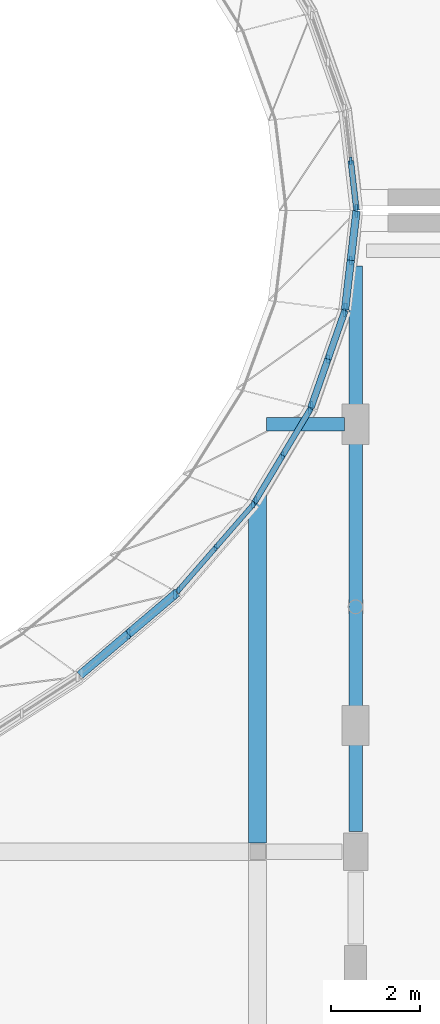
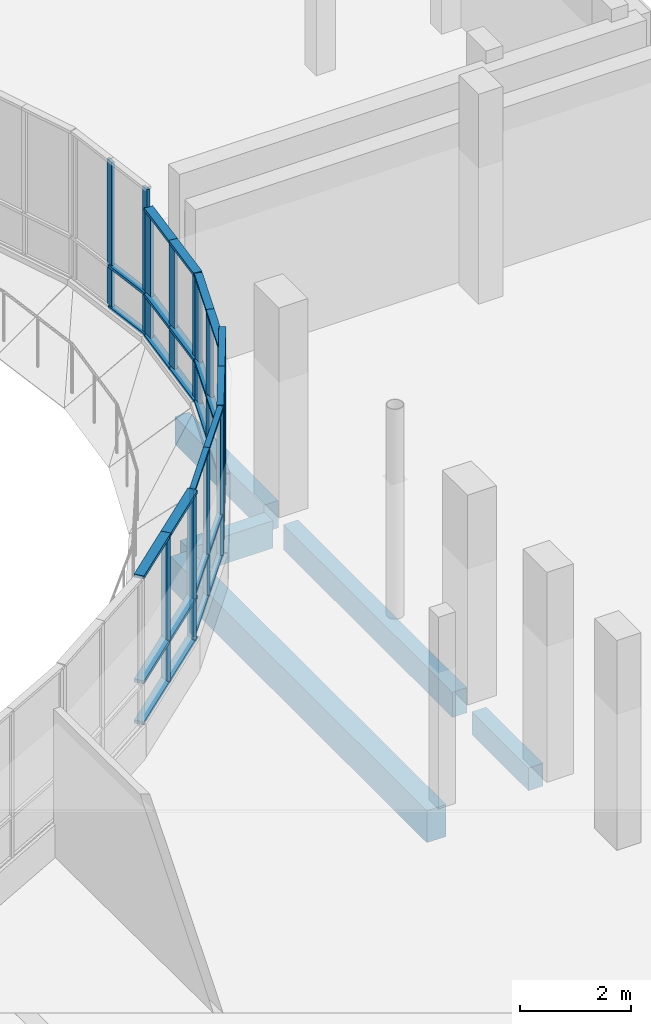
# One storey, part 17 of 73: 48 members, 5 beams, 6 elements without a shape of their own.
"""IFC4 building model written with IfcOpenShell, lengths in metres."""

from ifc_helpers import new_model, si_unit, direction, frame, origin, origin_2d, place, context, subcontext, project, spatial, rectangle, extrude, material, material_profile, profile_set, type_object, element, aggregate, save


model = new_model("IFC4")

# Units and contexts
model_context = context("Model", 3, precision=1e-05, world=origin(), true_north=direction((0.0, 1.0)))
body_context = subcontext(model_context, "Body", "Model", "MODEL_VIEW")
ifc_project = project(units=[si_unit("LENGTHUNIT", "METRE"), si_unit("AREAUNIT", "SQUARE_METRE"), si_unit("VOLUMEUNIT", "CUBIC_METRE"), si_unit("PLANEANGLEUNIT", "RADIAN"), si_unit("MASSUNIT", "GRAM", prefix="KILO")], contexts=[model_context])

# Site, building, storey
site_placement = place(None, origin())
site = spatial("IfcSite", under=ifc_project, at=site_placement, CompositionType="ELEMENT")
building_placement = place(site_placement, origin())
building = spatial("IfcBuilding", under=site, at=building_placement, Name="Mzevani Central Library", CompositionType="ELEMENT")
storey_placement = place(building_placement, frame((0.0, 0.0, 9.60009765625)))
storey = spatial("IfcBuildingStorey", under=building, at=storey_placement, Name="L02", CompositionType="ELEMENT", Elevation=9.60009765625)

# Beams
ifc_material_1 = material(Name="Concrete C35/45", Category="concrete")
ifc_material_profile_1 = material_profile(ifc_material_1, rectangle(XDim=0.300048828125, YDim=0.5, at=origin_2d()), Name="RC B300x500")
ifc_profile_set_1 = profile_set([ifc_material_profile_1], Name="Concrete C35/45")
beam_type_1 = type_object("IfcBeamType", Name="Beam RC 300x500", PredefinedType="BEAM", material=ifc_profile_set_1)
beam_1_placement = place(storey_placement, frame((114.199951171875, 62.050048828125, -0.510009765625), z_axis=(0.0, 1.0, 0.0), x_axis=(-1.0, 0.0, 0.0)))
element("IfcBeam", 1, at=beam_1_placement, inside=storey, type_object=beam_type_1, Name="L02 V1 Frame Beam B-01 (132)", PredefinedType="BEAM", context=body_context, shape_type="SweptSolid", body=[
    extrude(rectangle(XDim=0.300048828125, YDim=0.5, at=origin_2d()), origin(), (0.0, 0.0, 1.0), 2.032958984375),
])
ifc_material_profile_2 = material_profile(ifc_material_1, rectangle(XDim=0.300048828125, YDim=0.550048828125, at=origin_2d()), Name="RC B300x550")
ifc_profile_set_2 = profile_set([ifc_material_profile_2], Name="Concrete C35/45")
beam_type_2 = type_object("IfcBeamType", Name="Beam RC 300x550", PredefinedType="BEAM", material=ifc_profile_set_2)
beam_2_placement = place(storey_placement, frame((114.199951171875, 64.782958984375, -0.53515625), z_axis=(0.0, 1.0, 0.0), x_axis=(-1.0, 0.0, 0.0)))
element("IfcBeam", 2, at=beam_2_placement, inside=storey, type_object=beam_type_2, Name="L02 V1 Frame Beam B-02 (133)", PredefinedType="BEAM", context=body_context, shape_type="SweptSolid", body=[
    extrude(rectangle(XDim=0.300048828125, YDim=0.550048828125, at=origin_2d()), origin(), (0.0, 0.0, 1.0), 6.067138671875),
])
ifc_material_profile_3 = material_profile(ifc_material_1, rectangle(XDim=0.300048828125, YDim=0.60009765625, at=origin_2d()), Name="RC B300x600")
ifc_profile_set_3 = profile_set([ifc_material_profile_3], Name="Concrete C35/45")
beam_type_3 = type_object("IfcBeamType", Name="Beam RC 300x600", PredefinedType="BEAM", material=ifc_profile_set_3)
beam_3_placement = place(storey_placement, frame((112.199951171875, 71.199951171875, -0.56005859375), z_axis=(1.0, 0.0, 0.0), x_axis=(0.0, 1.0, 0.0)))
element("IfcBeam", 3, at=beam_3_placement, inside=storey, type_object=beam_type_3, Name="L02 V1 Girder B-03 (106)", PredefinedType="BEAM", context=body_context, shape_type="SweptSolid", body=[
    extrude(rectangle(XDim=0.300048828125, YDim=0.60009765625, at=origin_2d()), origin(), (0.0, 0.0, 1.0), 1.75),
])
beam_4_placement = place(storey_placement, frame((114.199951171875, 71.550048828125, -0.56005859375), z_axis=(0.0, 1.0, 0.0), x_axis=(-1.0, 0.0, 0.0)))
element("IfcBeam", 4, at=beam_4_placement, inside=storey, type_object=beam_type_3, Name="L02 V1 Frame Beam B-03 (134)", PredefinedType="BEAM", context=body_context, shape_type="SweptSolid", body=[
    extrude(rectangle(XDim=0.300048828125, YDim=0.60009765625, at=origin_2d()), origin(), (0.0, 0.0, 1.0), 3.199951171875),
])
ifc_material_profile_4 = material_profile(ifc_material_1, rectangle(XDim=0.39990234375, YDim=0.699951171875, at=origin_2d()), Name="RC B400x700")
ifc_profile_set_4 = profile_set([ifc_material_profile_4], Name="Concrete C35/45")
beam_type_4 = type_object("IfcBeamType", Name="Beam RC 400x700", PredefinedType="BEAM", material=ifc_profile_set_4)
beam_5_placement = place(storey_placement, frame((112.0, 61.800048828125, -0.610107421875), z_axis=(0.0, 1.0, 0.0), x_axis=(-1.0, 0.0, 0.0)))
element("IfcBeam", 5, at=beam_5_placement, inside=storey, type_object=beam_type_4, Name="L02 V1 Frame Beam B-08 (127)", PredefinedType="BEAM", context=body_context, shape_type="SweptSolid", body=[
    extrude(rectangle(XDim=0.39990234375, YDim=0.699951171875, at=origin_2d()), origin(), (0.0, 0.0, 1.0), 9.199951171875),
])

# Curtain wall, members
ifc_material_2 = material(Name="Thermally broken aluminium and Low-E triple glazing", Category="aluminium")
curtain_wall_type_1 = type_object("IfcCurtainWallType", Name="Elliptical Court Unitised Curtain Wall", PredefinedType="NOTDEFINED", material=ifc_material_2)
curtain_wall_1_placement = place(storey_placement, origin())
curtain_wall_1 = element("IfcCurtainWall", 6, at=curtain_wall_1_placement, inside=storey, type_object=curtain_wall_type_1, Name="L02 Elliptical Court Curtain Wall 45", PredefinedType="NOTDEFINED")
ifc_material_3 = material(Name="Thermally broken aluminium AW-6060", Category="aluminium")
ifc_material_profile_5 = material_profile(ifc_material_3, rectangle(XDim=0.06005859375, YDim=0.139892578125, at=origin_2d()), Name="ALU M60x140")
ifc_profile_set_5 = profile_set([ifc_material_profile_5], Name="Thermally broken aluminium AW-6060")
member_type_1 = type_object("IfcMemberType", Name="CW Mullion 60x140", PredefinedType="MULLION", material=ifc_profile_set_5)
member_1_placement = place(storey_placement, frame((110.225341796875, 67.472412109375, 0.719970703125), z_axis=(0.0, 0.0, 1.0), x_axis=(1.0, 0.0, 0.0)))
member_1 = element("IfcMember", 7, at=member_1_placement, type_object=member_type_1, Name="L02 Elliptical Court Curtain Wall 45 Mullion 1", PredefinedType="MULLION", context=body_context, shape_type="SweptSolid", body=[
    extrude(rectangle(XDim=0.06005859375, YDim=0.139892578125, at=origin_2d()), origin(), (0.0, 0.0, 1.0), 3.199951171875),
])
member_2_placement = place(storey_placement, frame((111.060546875, 68.4326171875, 0.719970703125), z_axis=(0.0, 0.0, 1.0), x_axis=(1.0, 0.0, 0.0)))
member_2 = element("IfcMember", 8, at=member_2_placement, type_object=member_type_1, Name="L02 Elliptical Court Curtain Wall 45 Mullion 2", PredefinedType="MULLION", context=body_context, shape_type="SweptSolid", body=[
    extrude(rectangle(XDim=0.06005859375, YDim=0.139892578125, at=origin_2d()), origin(), (0.0, 0.0, 1.0), 3.199951171875),
])
member_3_placement = place(storey_placement, frame((111.8955078125, 69.392578125, 0.719970703125), z_axis=(0.0, 0.0, 1.0), x_axis=(1.0, 0.0, 0.0)))
member_3 = element("IfcMember", 9, at=member_3_placement, type_object=member_type_1, Name="L02 Elliptical Court Curtain Wall 45 Mullion 3", PredefinedType="MULLION", context=body_context, shape_type="SweptSolid", body=[
    extrude(rectangle(XDim=0.06005859375, YDim=0.139892578125, at=origin_2d()), origin(), (0.0, 0.0, 1.0), 3.199951171875),
])

curtain_wall_type_2 = type_object("IfcCurtainWallType", Name="Reading Hall Northlight Curtain Wall", PredefinedType="NOTDEFINED", material=ifc_material_2)
curtain_wall_2_placement = place(storey_placement, origin())
curtain_wall_2 = element("IfcCurtainWall", 10, at=curtain_wall_2_placement, inside=storey, type_object=curtain_wall_type_2, Name="L02 Elliptical Court Curtain Wall 1", PredefinedType="NOTDEFINED")
ifc_material_profile_6 = material_profile(ifc_material_3, rectangle(XDim=0.06005859375, YDim=0.159912109375, at=origin_2d()), Name="ALU M60x160")
ifc_profile_set_6 = profile_set([ifc_material_profile_6], Name="Thermally broken aluminium AW-6060")
member_type_2 = type_object("IfcMemberType", Name="CW Mullion 60x160", PredefinedType="MULLION", material=ifc_profile_set_6)
member_4_placement = place(storey_placement, frame((114.214111328125, 76.057861328125, 0.719970703125), z_axis=(0.0, 0.0, 1.0), x_axis=(1.0, 0.0, 0.0)))
member_4 = element("IfcMember", 11, at=member_4_placement, type_object=member_type_2, Name="L02 Elliptical Court Curtain Wall 1 Mullion 1", PredefinedType="MULLION", context=body_context, shape_type="SweptSolid", body=[
    extrude(rectangle(XDim=0.06005859375, YDim=0.159912109375, at=origin_2d()), origin(), (0.0, 0.0, 1.0), 3.199951171875),
])
member_5_placement = place(storey_placement, frame((114.091552734375, 77.118408203125, 0.719970703125), z_axis=(0.0, 0.0, 1.0), x_axis=(1.0, 0.0, 0.0)))
member_5 = element("IfcMember", 12, at=member_5_placement, type_object=member_type_2, Name="L02 Elliptical Court Curtain Wall 1 Mullion 2", PredefinedType="MULLION", context=body_context, shape_type="SweptSolid", body=[
    extrude(rectangle(XDim=0.06005859375, YDim=0.159912109375, at=origin_2d()), origin(), (0.0, 0.0, 1.0), 3.199951171875),
])

curtain_wall_3_placement = place(storey_placement, origin())
curtain_wall_3 = element("IfcCurtainWall", 13, at=curtain_wall_3_placement, inside=storey, type_object=curtain_wall_type_2, Name="L02 Elliptical Court Curtain Wall 46", PredefinedType="NOTDEFINED")
member_6_placement = place(storey_placement, frame((111.9580078125, 69.490966796875, 0.719970703125), z_axis=(0.0, 0.0, 1.0), x_axis=(1.0, 0.0, 0.0)))
member_6 = element("IfcMember", 14, at=member_6_placement, type_object=member_type_2, Name="L02 Elliptical Court Curtain Wall 46 Mullion 1", PredefinedType="MULLION", context=body_context, shape_type="SweptSolid", body=[
    extrude(rectangle(XDim=0.06005859375, YDim=0.159912109375, at=origin_2d()), origin(), (0.0, 0.0, 1.0), 3.199951171875),
])
member_7_placement = place(storey_placement, frame((112.56298828125, 70.501708984375, 0.719970703125), z_axis=(0.0, 0.0, 1.0), x_axis=(1.0, 0.0, 0.0)))
member_7 = element("IfcMember", 15, at=member_7_placement, type_object=member_type_2, Name="L02 Elliptical Court Curtain Wall 46 Mullion 2", PredefinedType="MULLION", context=body_context, shape_type="SweptSolid", body=[
    extrude(rectangle(XDim=0.06005859375, YDim=0.159912109375, at=origin_2d()), origin(), (0.0, 0.0, 1.0), 3.199951171875),
])
member_8_placement = place(storey_placement, frame((113.168212890625, 71.512451171875, 0.719970703125), z_axis=(0.0, 0.0, 1.0), x_axis=(1.0, 0.0, 0.0)))
member_8 = element("IfcMember", 16, at=member_8_placement, type_object=member_type_2, Name="L02 Elliptical Court Curtain Wall 46 Mullion 3", PredefinedType="MULLION", context=body_context, shape_type="SweptSolid", body=[
    extrude(rectangle(XDim=0.06005859375, YDim=0.159912109375, at=origin_2d()), origin(), (0.0, 0.0, 1.0), 3.199951171875),
])

curtain_wall_4_placement = place(storey_placement, origin())
curtain_wall_4 = element("IfcCurtainWall", 17, at=curtain_wall_4_placement, inside=storey, type_object=curtain_wall_type_1, Name="L02 Elliptical Court Curtain Wall 47", PredefinedType="NOTDEFINED")
ifc_material_profile_7 = material_profile(ifc_material_3, rectangle(XDim=0.06005859375, YDim=0.179931640625, at=origin_2d()), Name="ALU M60x180")
ifc_profile_set_7 = profile_set([ifc_material_profile_7], Name="Thermally broken aluminium AW-6060")
member_type_3 = type_object("IfcMemberType", Name="CW Mullion 60x180", PredefinedType="MULLION", material=ifc_profile_set_7)
member_9_placement = place(storey_placement, frame((113.212890625, 71.619384765625, 0.719970703125), z_axis=(0.0, 0.0, 1.0), x_axis=(1.0, 0.0, 0.0)))
member_9 = element("IfcMember", 18, at=member_9_placement, type_object=member_type_3, Name="L02 Elliptical Court Curtain Wall 47 Mullion 1", PredefinedType="MULLION", context=body_context, shape_type="SweptSolid", body=[
    extrude(rectangle(XDim=0.06005859375, YDim=0.179931640625, at=origin_2d()), origin(), (0.0, 0.0, 1.0), 2.780029296875),
])
member_10_placement = place(storey_placement, frame((113.5791015625, 72.66357421875, 0.719970703125), z_axis=(0.0, 0.0, 1.0), x_axis=(1.0, 0.0, 0.0)))
member_10 = element("IfcMember", 19, at=member_10_placement, type_object=member_type_3, Name="L02 Elliptical Court Curtain Wall 47 Mullion 2", PredefinedType="MULLION", context=body_context, shape_type="SweptSolid", body=[
    extrude(rectangle(XDim=0.06005859375, YDim=0.179931640625, at=origin_2d()), origin(), (0.0, 0.0, 1.0), 2.780029296875),
])
member_11_placement = place(storey_placement, frame((113.945556640625, 73.70751953125, 0.719970703125), z_axis=(0.0, 0.0, 1.0), x_axis=(1.0, 0.0, 0.0)))
member_11 = element("IfcMember", 20, at=member_11_placement, type_object=member_type_3, Name="L02 Elliptical Court Curtain Wall 47 Mullion 3", PredefinedType="MULLION", context=body_context, shape_type="SweptSolid", body=[
    extrude(rectangle(XDim=0.06005859375, YDim=0.179931640625, at=origin_2d()), origin(), (0.0, 0.0, 1.0), 2.780029296875),
])

curtain_wall_5_placement = place(storey_placement, origin())
curtain_wall_5 = element("IfcCurtainWall", 21, at=curtain_wall_5_placement, inside=storey, type_object=curtain_wall_type_1, Name="L02 Elliptical Court Curtain Wall 48", PredefinedType="NOTDEFINED")
ifc_material_profile_8 = material_profile(ifc_material_3, rectangle(XDim=0.06494140625, YDim=0.199951171875, at=origin_2d()), Name="ALU M65x200")
ifc_profile_set_8 = profile_set([ifc_material_profile_8], Name="Thermally broken aluminium AW-6060")
member_type_4 = type_object("IfcMemberType", Name="CW Mullion 65x200", PredefinedType="MULLION", material=ifc_profile_set_8)
member_12_placement = place(storey_placement, frame((113.968994140625, 73.821044921875, 0.719970703125), z_axis=(0.0, 0.0, 1.0), x_axis=(1.0, 0.0, 0.0)))
member_12 = element("IfcMember", 22, at=member_12_placement, type_object=member_type_4, Name="L02 Elliptical Court Curtain Wall 48 Mullion 1", PredefinedType="MULLION", context=body_context, shape_type="SweptSolid", body=[
    extrude(rectangle(XDim=0.06494140625, YDim=0.199951171875, at=origin_2d()), origin(), (0.0, 0.0, 1.0), 2.780029296875),
])
member_13_placement = place(storey_placement, frame((114.091552734375, 74.881591796875, 0.719970703125), z_axis=(0.0, 0.0, 1.0), x_axis=(1.0, 0.0, 0.0)))
member_13 = element("IfcMember", 23, at=member_13_placement, type_object=member_type_4, Name="L02 Elliptical Court Curtain Wall 48 Mullion 2", PredefinedType="MULLION", context=body_context, shape_type="SweptSolid", body=[
    extrude(rectangle(XDim=0.06494140625, YDim=0.199951171875, at=origin_2d()), origin(), (0.0, 0.0, 1.0), 2.780029296875),
])
member_14_placement = place(storey_placement, frame((114.214111328125, 75.942138671875, 0.719970703125), z_axis=(0.0, 0.0, 1.0), x_axis=(1.0, 0.0, 0.0)))
member_14 = element("IfcMember", 24, at=member_14_placement, type_object=member_type_4, Name="L02 Elliptical Court Curtain Wall 48 Mullion 3", PredefinedType="MULLION", context=body_context, shape_type="SweptSolid", body=[
    extrude(rectangle(XDim=0.06494140625, YDim=0.199951171875, at=origin_2d()), origin(), (0.0, 0.0, 1.0), 2.780029296875),
])

curtain_wall_6_placement = place(storey_placement, origin())
curtain_wall_6 = element("IfcCurtainWall", 25, at=curtain_wall_6_placement, inside=storey, type_object=curtain_wall_type_1, Name="L02 Elliptical Court Curtain Wall 44", PredefinedType="NOTDEFINED")
ifc_material_profile_9 = material_profile(ifc_material_3, rectangle(XDim=0.070068359375, YDim=0.219970703125, at=origin_2d()), Name="ALU M70x220")
ifc_profile_set_9 = profile_set([ifc_material_profile_9], Name="Thermally broken aluminium AW-6060")
member_type_5 = type_object("IfcMemberType", Name="CW Mullion 70x220", PredefinedType="MULLION", material=ifc_profile_set_9)
member_15_placement = place(storey_placement, frame((109.096435546875, 66.49072265625, 0.719970703125), z_axis=(0.0, 0.0, 1.0), x_axis=(1.0, 0.0, 0.0)))
member_15 = element("IfcMember", 26, at=member_15_placement, type_object=member_type_5, Name="L02 Elliptical Court Curtain Wall 44 Mullion 2", PredefinedType="MULLION", context=body_context, shape_type="SweptSolid", body=[
    extrude(rectangle(XDim=0.070068359375, YDim=0.219970703125, at=origin_2d()), origin(), (0.0, 0.0, 1.0), 3.199951171875),
])
member_16_placement = place(storey_placement, frame((110.1484375, 67.383544921875, 0.719970703125), z_axis=(0.0, 0.0, 1.0), x_axis=(1.0, 0.0, 0.0)))
member_16 = element("IfcMember", 27, at=member_16_placement, type_object=member_type_5, Name="L02 Elliptical Court Curtain Wall 44 Mullion 3", PredefinedType="MULLION", context=body_context, shape_type="SweptSolid", body=[
    extrude(rectangle(XDim=0.070068359375, YDim=0.219970703125, at=origin_2d()), origin(), (0.0, 0.0, 1.0), 3.199951171875),
])

# Member
ifc_material_profile_10 = material_profile(ifc_material_3, rectangle(XDim=0.110107421875, YDim=0.06005859375, at=origin_2d()), Name="ALU T60x110")
ifc_profile_set_10 = profile_set([ifc_material_profile_10], Name="Thermally broken aluminium AW-6060")
member_type_6 = type_object("IfcMemberType", Name="CW Transom 60x110", PredefinedType="USERDEFINED", material=ifc_profile_set_10)
member_17_placement = place(storey_placement, frame((110.192626953125, 67.4345703125, 0.719970703125), z_axis=(0.656201564286, 0.754585652546, 0.0), x_axis=(-0.754585652546, 0.656201564286, 0.0)))
member_17 = element("IfcMember", 28, at=member_17_placement, type_object=member_type_6, Name="L02 Elliptical Court Curtain Wall 45 Transom 1", ObjectType="TRANSOM", PredefinedType="USERDEFINED", context=body_context, shape_type="SweptSolid", body=[
    extrude(rectangle(XDim=0.110107421875, YDim=0.06005859375, at=origin_2d()), origin(), (0.0, 0.0, 1.0), 1.32275390625),
])

member_18_placement = place(storey_placement, frame((110.192626953125, 67.4345703125, 1.619873046875), z_axis=(0.656201564286, 0.754585652546, 0.0), x_axis=(-0.754585652546, 0.656201564286, 0.0)))
member_18 = element("IfcMember", 29, at=member_18_placement, type_object=member_type_6, Name="L02 Elliptical Court Curtain Wall 45 Transom 2", ObjectType="TRANSOM", PredefinedType="USERDEFINED", context=body_context, shape_type="SweptSolid", body=[
    extrude(rectangle(XDim=0.110107421875, YDim=0.06005859375, at=origin_2d()), origin(), (0.0, 0.0, 1.0), 1.32275390625),
])

member_19_placement = place(storey_placement, frame((110.192626953125, 67.4345703125, 3.919921875), z_axis=(0.656201564286, 0.754585652546, 0.0), x_axis=(-0.754585652546, 0.656201564286, 0.0)))
member_19 = element("IfcMember", 30, at=member_19_placement, type_object=member_type_6, Name="L02 Elliptical Court Curtain Wall 45 Transom 3", ObjectType="TRANSOM", PredefinedType="USERDEFINED", context=body_context, shape_type="SweptSolid", body=[
    extrude(rectangle(XDim=0.110107421875, YDim=0.06005859375, at=origin_2d()), origin(), (0.0, 0.0, 1.0), 1.32275390625),
])

member_20_placement = place(storey_placement, frame((111.060546875, 68.4326171875, 0.719970703125), z_axis=(0.656187857122, 0.754597572329, 0.0), x_axis=(-0.754597572329, 0.656187857122, 0.0)))
member_20 = element("IfcMember", 31, at=member_20_placement, type_object=member_type_6, Name="L02 Elliptical Court Curtain Wall 45 Transom 4", ObjectType="TRANSOM", PredefinedType="USERDEFINED", context=body_context, shape_type="SweptSolid", body=[
    extrude(rectangle(XDim=0.110107421875, YDim=0.06005859375, at=origin_2d()), origin(), (0.0, 0.0, 1.0), 1.322265625),
])

member_21_placement = place(storey_placement, frame((111.060546875, 68.4326171875, 1.619873046875), z_axis=(0.656187857122, 0.754597572329, 0.0), x_axis=(-0.754597572329, 0.656187857122, 0.0)))
member_21 = element("IfcMember", 32, at=member_21_placement, type_object=member_type_6, Name="L02 Elliptical Court Curtain Wall 45 Transom 5", ObjectType="TRANSOM", PredefinedType="USERDEFINED", context=body_context, shape_type="SweptSolid", body=[
    extrude(rectangle(XDim=0.110107421875, YDim=0.06005859375, at=origin_2d()), origin(), (0.0, 0.0, 1.0), 1.322265625),
])

member_22_placement = place(storey_placement, frame((111.060546875, 68.4326171875, 3.919921875), z_axis=(0.656187857122, 0.754597572329, 0.0), x_axis=(-0.754597572329, 0.656187857122, 0.0)))
member_22 = element("IfcMember", 33, at=member_22_placement, type_object=member_type_6, Name="L02 Elliptical Court Curtain Wall 45 Transom 6", ObjectType="TRANSOM", PredefinedType="USERDEFINED", context=body_context, shape_type="SweptSolid", body=[
    extrude(rectangle(XDim=0.110107421875, YDim=0.06005859375, at=origin_2d()), origin(), (0.0, 0.0, 1.0), 1.322265625),
])

aggregate(curtain_wall_1, [member_1, member_2, member_3, member_17, member_18, member_19, member_20, member_21, member_22])

ifc_material_profile_11 = material_profile(ifc_material_3, rectangle(XDim=0.1298828125, YDim=0.06005859375, at=origin_2d()), Name="ALU T60x130")
ifc_profile_set_11 = profile_set([ifc_material_profile_11], Name="Thermally broken aluminium AW-6060")
member_type_7 = type_object("IfcMemberType", Name="CW Transom 60x130", PredefinedType="USERDEFINED", material=ifc_profile_set_11)
member_23_placement = place(storey_placement, frame((114.2197265625, 76.00830078125, 0.719970703125), z_axis=(-0.114698739584, 0.993400321692, 0.0), x_axis=(-0.993400321692, -0.114698739584, 0.0)))
member_23 = element("IfcMember", 34, at=member_23_placement, type_object=member_type_7, Name="L02 Elliptical Court Curtain Wall 1 Transom 1", ObjectType="TRANSOM", PredefinedType="USERDEFINED", context=body_context, shape_type="SweptSolid", body=[
    extrude(rectangle(XDim=0.1298828125, YDim=0.06005859375, at=origin_2d()), origin(), (0.0, 0.0, 1.0), 1.117431640625),
])

member_24_placement = place(storey_placement, frame((114.2197265625, 76.00830078125, 1.619873046875), z_axis=(-0.114698739584, 0.993400321692, 0.0), x_axis=(-0.993400321692, -0.114698739584, 0.0)))
member_24 = element("IfcMember", 35, at=member_24_placement, type_object=member_type_7, Name="L02 Elliptical Court Curtain Wall 1 Transom 2", ObjectType="TRANSOM", PredefinedType="USERDEFINED", context=body_context, shape_type="SweptSolid", body=[
    extrude(rectangle(XDim=0.1298828125, YDim=0.06005859375, at=origin_2d()), origin(), (0.0, 0.0, 1.0), 1.117431640625),
])

aggregate(curtain_wall_2, [member_4, member_5, member_23, member_24])

member_25_placement = place(storey_placement, frame((111.932373046875, 69.447998046875, 0.719970703125), z_axis=(0.513530608291, 0.858071275797, 0.0), x_axis=(-0.858071275797, 0.513530608291, 0.0)))
member_25 = element("IfcMember", 36, at=member_25_placement, type_object=member_type_7, Name="L02 Elliptical Court Curtain Wall 46 Transom 1", ObjectType="TRANSOM", PredefinedType="USERDEFINED", context=body_context, shape_type="SweptSolid", body=[
    extrude(rectangle(XDim=0.1298828125, YDim=0.06005859375, at=origin_2d()), origin(), (0.0, 0.0, 1.0), 1.22802734375),
])

member_26_placement = place(storey_placement, frame((111.932373046875, 69.447998046875, 1.619873046875), z_axis=(0.513530608291, 0.858071275797, 0.0), x_axis=(-0.858071275797, 0.513530608291, 0.0)))
member_26 = element("IfcMember", 37, at=member_26_placement, type_object=member_type_7, Name="L02 Elliptical Court Curtain Wall 46 Transom 2", ObjectType="TRANSOM", PredefinedType="USERDEFINED", context=body_context, shape_type="SweptSolid", body=[
    extrude(rectangle(XDim=0.1298828125, YDim=0.06005859375, at=origin_2d()), origin(), (0.0, 0.0, 1.0), 1.22802734375),
])

member_27_placement = place(storey_placement, frame((111.932373046875, 69.447998046875, 3.919921875), z_axis=(0.513530608291, 0.858071275797, 0.0), x_axis=(-0.858071275797, 0.513530608291, 0.0)))
member_27 = element("IfcMember", 38, at=member_27_placement, type_object=member_type_7, Name="L02 Elliptical Court Curtain Wall 46 Transom 3", ObjectType="TRANSOM", PredefinedType="USERDEFINED", context=body_context, shape_type="SweptSolid", body=[
    extrude(rectangle(XDim=0.1298828125, YDim=0.06005859375, at=origin_2d()), origin(), (0.0, 0.0, 1.0), 1.22802734375),
])

member_28_placement = place(storey_placement, frame((112.56298828125, 70.501708984375, 0.719970703125), z_axis=(0.513676968205, 0.857983666707, 0.0), x_axis=(-0.857983666707, 0.513676968205, 0.0)))
member_28 = element("IfcMember", 39, at=member_28_placement, type_object=member_type_7, Name="L02 Elliptical Court Curtain Wall 46 Transom 4", ObjectType="TRANSOM", PredefinedType="USERDEFINED", context=body_context, shape_type="SweptSolid", body=[
    extrude(rectangle(XDim=0.1298828125, YDim=0.06005859375, at=origin_2d()), origin(), (0.0, 0.0, 1.0), 1.22802734375),
])

member_29_placement = place(storey_placement, frame((112.56298828125, 70.501708984375, 1.619873046875), z_axis=(0.513676968205, 0.857983666707, 0.0), x_axis=(-0.857983666707, 0.513676968205, 0.0)))
member_29 = element("IfcMember", 40, at=member_29_placement, type_object=member_type_7, Name="L02 Elliptical Court Curtain Wall 46 Transom 5", ObjectType="TRANSOM", PredefinedType="USERDEFINED", context=body_context, shape_type="SweptSolid", body=[
    extrude(rectangle(XDim=0.1298828125, YDim=0.06005859375, at=origin_2d()), origin(), (0.0, 0.0, 1.0), 1.22802734375),
])

member_30_placement = place(storey_placement, frame((112.56298828125, 70.501708984375, 3.919921875), z_axis=(0.513676968205, 0.857983666707, 0.0), x_axis=(-0.857983666707, 0.513676968205, 0.0)))
member_30 = element("IfcMember", 41, at=member_30_placement, type_object=member_type_7, Name="L02 Elliptical Court Curtain Wall 46 Transom 6", ObjectType="TRANSOM", PredefinedType="USERDEFINED", context=body_context, shape_type="SweptSolid", body=[
    extrude(rectangle(XDim=0.1298828125, YDim=0.06005859375, at=origin_2d()), origin(), (0.0, 0.0, 1.0), 1.22802734375),
])

aggregate(curtain_wall_3, [member_6, member_7, member_8, member_25, member_26, member_27, member_28, member_29, member_30])

ifc_material_profile_12 = material_profile(ifc_material_3, rectangle(XDim=0.14990234375, YDim=0.06005859375, at=origin_2d()), Name="ALU T60x150")
ifc_profile_set_12 = profile_set([ifc_material_profile_12], Name="Thermally broken aluminium AW-6060")
member_type_8 = type_object("IfcMemberType", Name="CW Transom 60x150", PredefinedType="USERDEFINED", material=ifc_profile_set_12)
member_31_placement = place(storey_placement, frame((113.1962890625, 71.572265625, 0.719970703125), z_axis=(0.331008570157, 0.943627747834, 0.0), x_axis=(-0.943627747834, 0.331008570157, 0.0)))
member_31 = element("IfcMember", 42, at=member_31_placement, type_object=member_type_8, Name="L02 Elliptical Court Curtain Wall 47 Transom 1", ObjectType="TRANSOM", PredefinedType="USERDEFINED", context=body_context, shape_type="SweptSolid", body=[
    extrude(rectangle(XDim=0.14990234375, YDim=0.06005859375, at=origin_2d()), origin(), (0.0, 0.0, 1.0), 1.156494140625),
])

member_32_placement = place(storey_placement, frame((113.1962890625, 71.572265625, 1.619873046875), z_axis=(0.331008570157, 0.943627747834, 0.0), x_axis=(-0.943627747834, 0.331008570157, 0.0)))
member_32 = element("IfcMember", 43, at=member_32_placement, type_object=member_type_8, Name="L02 Elliptical Court Curtain Wall 47 Transom 2", ObjectType="TRANSOM", PredefinedType="USERDEFINED", context=body_context, shape_type="SweptSolid", body=[
    extrude(rectangle(XDim=0.14990234375, YDim=0.06005859375, at=origin_2d()), origin(), (0.0, 0.0, 1.0), 1.156494140625),
])

member_33_placement = place(storey_placement, frame((113.1962890625, 71.572265625, 3.5), z_axis=(0.331008570157, 0.943627747834, 0.0), x_axis=(-0.943627747834, 0.331008570157, 0.0)))
member_33 = element("IfcMember", 44, at=member_33_placement, type_object=member_type_8, Name="L02 Elliptical Court Curtain Wall 47 Transom 3", ObjectType="TRANSOM", PredefinedType="USERDEFINED", context=body_context, shape_type="SweptSolid", body=[
    extrude(rectangle(XDim=0.14990234375, YDim=0.06005859375, at=origin_2d()), origin(), (0.0, 0.0, 1.0), 1.156494140625),
])

member_34_placement = place(storey_placement, frame((113.5791015625, 72.66357421875, 0.719970703125), z_axis=(0.331008570157, 0.943627747834, 0.0), x_axis=(-0.943627747834, 0.331008570157, 0.0)))
member_34 = element("IfcMember", 45, at=member_34_placement, type_object=member_type_8, Name="L02 Elliptical Court Curtain Wall 47 Transom 4", ObjectType="TRANSOM", PredefinedType="USERDEFINED", context=body_context, shape_type="SweptSolid", body=[
    extrude(rectangle(XDim=0.14990234375, YDim=0.06005859375, at=origin_2d()), origin(), (0.0, 0.0, 1.0), 1.156494140625),
])

member_35_placement = place(storey_placement, frame((113.5791015625, 72.66357421875, 1.619873046875), z_axis=(0.331008570157, 0.943627747834, 0.0), x_axis=(-0.943627747834, 0.331008570157, 0.0)))
member_35 = element("IfcMember", 46, at=member_35_placement, type_object=member_type_8, Name="L02 Elliptical Court Curtain Wall 47 Transom 5", ObjectType="TRANSOM", PredefinedType="USERDEFINED", context=body_context, shape_type="SweptSolid", body=[
    extrude(rectangle(XDim=0.14990234375, YDim=0.06005859375, at=origin_2d()), origin(), (0.0, 0.0, 1.0), 1.156494140625),
])

member_36_placement = place(storey_placement, frame((113.5791015625, 72.66357421875, 3.5), z_axis=(0.331008570157, 0.943627747834, 0.0), x_axis=(-0.943627747834, 0.331008570157, 0.0)))
member_36 = element("IfcMember", 47, at=member_36_placement, type_object=member_type_8, Name="L02 Elliptical Court Curtain Wall 47 Transom 6", ObjectType="TRANSOM", PredefinedType="USERDEFINED", context=body_context, shape_type="SweptSolid", body=[
    extrude(rectangle(XDim=0.14990234375, YDim=0.06005859375, at=origin_2d()), origin(), (0.0, 0.0, 1.0), 1.156494140625),
])

aggregate(curtain_wall_4, [member_9, member_10, member_11, member_31, member_32, member_33, member_34, member_35, member_36])

ifc_material_profile_13 = material_profile(ifc_material_3, rectangle(XDim=0.169921875, YDim=0.06494140625, at=origin_2d()), Name="ALU T65x170")
ifc_profile_set_13 = profile_set([ifc_material_profile_13], Name="Thermally broken aluminium AW-6060")
member_type_9 = type_object("IfcMemberType", Name="CW Transom 65x170", PredefinedType="USERDEFINED", material=ifc_profile_set_13)
member_37_placement = place(storey_placement, frame((113.963134765625, 73.771240234375, 0.719970703125), z_axis=(0.114889397614, 0.993378289634, 0.0), x_axis=(-0.993378289634, 0.114889397614, 0.0)))
member_37 = element("IfcMember", 48, at=member_37_placement, type_object=member_type_9, Name="L02 Elliptical Court Curtain Wall 48 Transom 1", ObjectType="TRANSOM", PredefinedType="USERDEFINED", context=body_context, shape_type="SweptSolid", body=[
    extrude(rectangle(XDim=0.169921875, YDim=0.06494140625, at=origin_2d()), origin(), (0.0, 0.0, 1.0), 1.11767578125),
])

member_38_placement = place(storey_placement, frame((113.963134765625, 73.771240234375, 1.619873046875), z_axis=(0.114889397614, 0.993378289634, 0.0), x_axis=(-0.993378289634, 0.114889397614, 0.0)))
member_38 = element("IfcMember", 49, at=member_38_placement, type_object=member_type_9, Name="L02 Elliptical Court Curtain Wall 48 Transom 2", ObjectType="TRANSOM", PredefinedType="USERDEFINED", context=body_context, shape_type="SweptSolid", body=[
    extrude(rectangle(XDim=0.169921875, YDim=0.06494140625, at=origin_2d()), origin(), (0.0, 0.0, 1.0), 1.11767578125),
])

member_39_placement = place(storey_placement, frame((113.963134765625, 73.771240234375, 3.5), z_axis=(0.114889397614, 0.993378289634, 0.0), x_axis=(-0.993378289634, 0.114889397614, 0.0)))
member_39 = element("IfcMember", 50, at=member_39_placement, type_object=member_type_9, Name="L02 Elliptical Court Curtain Wall 48 Transom 3", ObjectType="TRANSOM", PredefinedType="USERDEFINED", context=body_context, shape_type="SweptSolid", body=[
    extrude(rectangle(XDim=0.169921875, YDim=0.06494140625, at=origin_2d()), origin(), (0.0, 0.0, 1.0), 1.11767578125),
])

member_40_placement = place(storey_placement, frame((114.091552734375, 74.881591796875, 0.719970703125), z_axis=(0.114698739584, 0.993400321692, 0.0), x_axis=(-0.993400321692, 0.114698739584, 0.0)))
member_40 = element("IfcMember", 51, at=member_40_placement, type_object=member_type_9, Name="L02 Elliptical Court Curtain Wall 48 Transom 4", ObjectType="TRANSOM", PredefinedType="USERDEFINED", context=body_context, shape_type="SweptSolid", body=[
    extrude(rectangle(XDim=0.169921875, YDim=0.06494140625, at=origin_2d()), origin(), (0.0, 0.0, 1.0), 1.117431640625),
])

member_41_placement = place(storey_placement, frame((114.091552734375, 74.881591796875, 1.619873046875), z_axis=(0.114698739584, 0.993400321692, 0.0), x_axis=(-0.993400321692, 0.114698739584, 0.0)))
member_41 = element("IfcMember", 52, at=member_41_placement, type_object=member_type_9, Name="L02 Elliptical Court Curtain Wall 48 Transom 5", ObjectType="TRANSOM", PredefinedType="USERDEFINED", context=body_context, shape_type="SweptSolid", body=[
    extrude(rectangle(XDim=0.169921875, YDim=0.06494140625, at=origin_2d()), origin(), (0.0, 0.0, 1.0), 1.117431640625),
])

member_42_placement = place(storey_placement, frame((114.091552734375, 74.881591796875, 3.5), z_axis=(0.114698739584, 0.993400321692, 0.0), x_axis=(-0.993400321692, 0.114698739584, 0.0)))
member_42 = element("IfcMember", 53, at=member_42_placement, type_object=member_type_9, Name="L02 Elliptical Court Curtain Wall 48 Transom 6", ObjectType="TRANSOM", PredefinedType="USERDEFINED", context=body_context, shape_type="SweptSolid", body=[
    extrude(rectangle(XDim=0.169921875, YDim=0.06494140625, at=origin_2d()), origin(), (0.0, 0.0, 1.0), 1.117431640625),
])

aggregate(curtain_wall_5, [member_12, member_13, member_14, member_37, member_38, member_39, member_40, member_41, member_42])

ifc_material_profile_14 = material_profile(ifc_material_3, rectangle(XDim=0.18994140625, YDim=0.070068359375, at=origin_2d()), Name="ALU T70x190")
ifc_profile_set_14 = profile_set([ifc_material_profile_14], Name="Thermally broken aluminium AW-6060")
member_type_10 = type_object("IfcMemberType", Name="CW Transom 70x190", PredefinedType="USERDEFINED", material=ifc_profile_set_14)
member_43_placement = place(storey_placement, frame((108.00634765625, 65.565673828125, 0.719970703125), z_axis=(0.762465735824, 0.647028594186, 0.0), x_axis=(-0.647028594186, 0.762465735824, 0.0)))
member_43 = element("IfcMember", 54, at=member_43_placement, type_object=member_type_10, Name="L02 Elliptical Court Curtain Wall 44 Transom 1", ObjectType="TRANSOM", PredefinedType="USERDEFINED", context=body_context, shape_type="SweptSolid", body=[
    extrude(rectangle(XDim=0.18994140625, YDim=0.070068359375, at=origin_2d()), origin(), (0.0, 0.0, 1.0), 1.4296875),
])

member_44_placement = place(storey_placement, frame((108.00634765625, 65.565673828125, 1.619873046875), z_axis=(0.762465735824, 0.647028594186, 0.0), x_axis=(-0.647028594186, 0.762465735824, 0.0)))
member_44 = element("IfcMember", 55, at=member_44_placement, type_object=member_type_10, Name="L02 Elliptical Court Curtain Wall 44 Transom 2", ObjectType="TRANSOM", PredefinedType="USERDEFINED", context=body_context, shape_type="SweptSolid", body=[
    extrude(rectangle(XDim=0.18994140625, YDim=0.070068359375, at=origin_2d()), origin(), (0.0, 0.0, 1.0), 1.4296875),
])

member_45_placement = place(storey_placement, frame((108.00634765625, 65.565673828125, 3.919921875), z_axis=(0.762465735824, 0.647028594186, 0.0), x_axis=(-0.647028594186, 0.762465735824, 0.0)))
member_45 = element("IfcMember", 56, at=member_45_placement, type_object=member_type_10, Name="L02 Elliptical Court Curtain Wall 44 Transom 3", ObjectType="TRANSOM", PredefinedType="USERDEFINED", context=body_context, shape_type="SweptSolid", body=[
    extrude(rectangle(XDim=0.18994140625, YDim=0.070068359375, at=origin_2d()), origin(), (0.0, 0.0, 1.0), 1.4296875),
])

member_46_placement = place(storey_placement, frame((109.096435546875, 66.49072265625, 0.719970703125), z_axis=(0.762381493954, 0.647127852651, 0.0), x_axis=(-0.647127852651, 0.762381493954, 0.0)))
member_46 = element("IfcMember", 57, at=member_46_placement, type_object=member_type_10, Name="L02 Elliptical Court Curtain Wall 44 Transom 4", ObjectType="TRANSOM", PredefinedType="USERDEFINED", context=body_context, shape_type="SweptSolid", body=[
    extrude(rectangle(XDim=0.18994140625, YDim=0.070068359375, at=origin_2d()), origin(), (0.0, 0.0, 1.0), 1.429931640625),
])

member_47_placement = place(storey_placement, frame((109.096435546875, 66.49072265625, 1.619873046875), z_axis=(0.762381493954, 0.647127852651, 0.0), x_axis=(-0.647127852651, 0.762381493954, 0.0)))
member_47 = element("IfcMember", 58, at=member_47_placement, type_object=member_type_10, Name="L02 Elliptical Court Curtain Wall 44 Transom 5", ObjectType="TRANSOM", PredefinedType="USERDEFINED", context=body_context, shape_type="SweptSolid", body=[
    extrude(rectangle(XDim=0.18994140625, YDim=0.070068359375, at=origin_2d()), origin(), (0.0, 0.0, 1.0), 1.429931640625),
])

member_48_placement = place(storey_placement, frame((109.096435546875, 66.49072265625, 3.919921875), z_axis=(0.762381493954, 0.647127852651, 0.0), x_axis=(-0.647127852651, 0.762381493954, 0.0)))
member_48 = element("IfcMember", 59, at=member_48_placement, type_object=member_type_10, Name="L02 Elliptical Court Curtain Wall 44 Transom 6", ObjectType="TRANSOM", PredefinedType="USERDEFINED", context=body_context, shape_type="SweptSolid", body=[
    extrude(rectangle(XDim=0.18994140625, YDim=0.070068359375, at=origin_2d()), origin(), (0.0, 0.0, 1.0), 1.429931640625),
])

aggregate(curtain_wall_6, [member_15, member_16, member_43, member_44, member_45, member_46, member_47, member_48])

save(model, "model.ifc")
